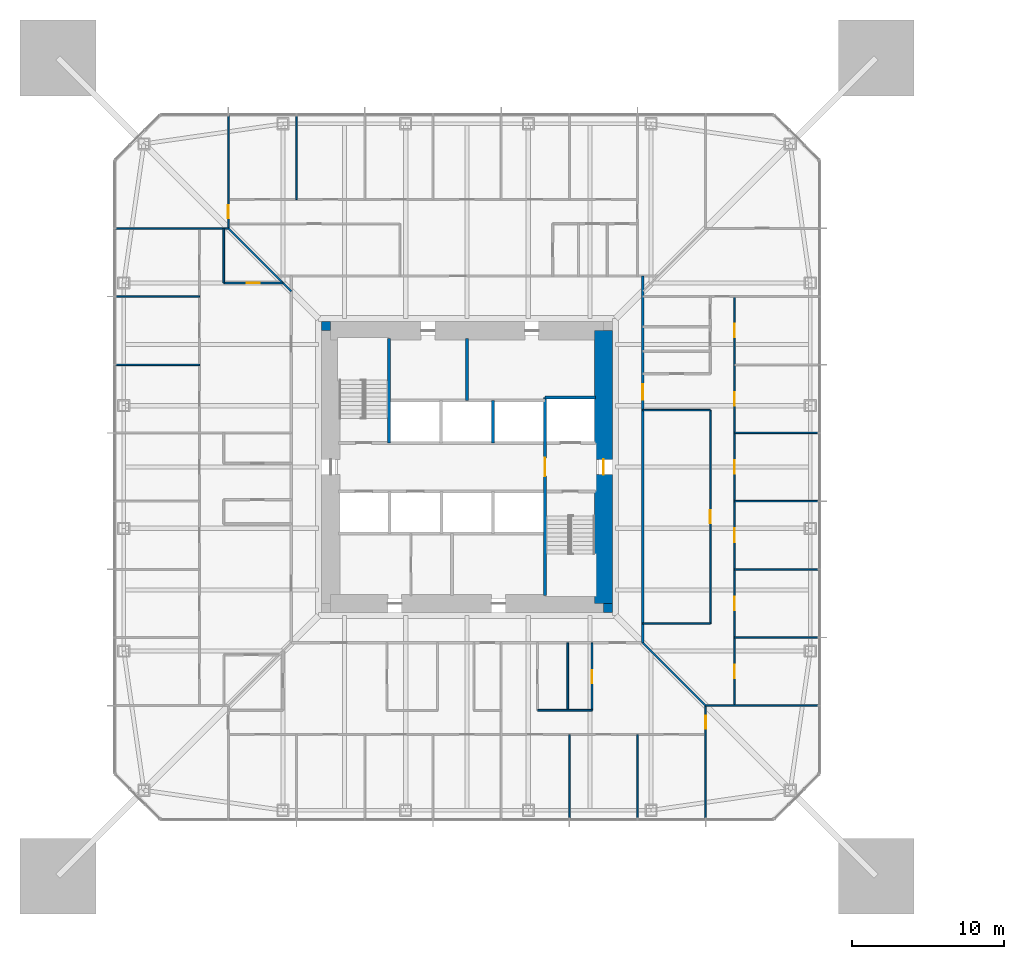
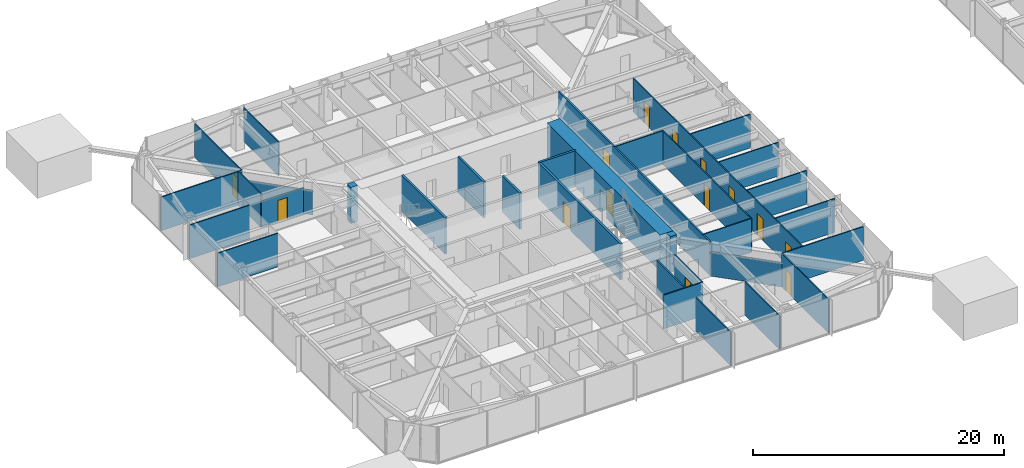
# One storey, part 16 of 26: 33 walls, 14 doors, 14 openings.
"""IFC4 building model written with IfcOpenShell, lengths in metres."""

from ifc_helpers import new_model, si_unit, direction, frame, frame_2d, origin, place, context, subcontext, project, spatial, rectangle, extrude, material, layer, layer_set, type_object, element, fill, save


model = new_model("IFC4")

# Units and contexts
model_context = context("Model", 3, precision=1e-05, world=origin(), true_north=direction((0.0, 1.0)))
body_context = subcontext(model_context, "Body", "Model", "MODEL_VIEW")
ifc_project = project(units=[si_unit("LENGTHUNIT", "METRE"), si_unit("AREAUNIT", "SQUARE_METRE"), si_unit("VOLUMEUNIT", "CUBIC_METRE"), si_unit("PLANEANGLEUNIT", "RADIAN"), si_unit("MASSUNIT", "GRAM", prefix="KILO")], contexts=[model_context])

# Site, building, storey
site_placement = place(None, origin())
site = spatial("IfcSite", under=ifc_project, at=site_placement, CompositionType="ELEMENT")
building_placement = place(site_placement, origin())
building = spatial("IfcBuilding", under=site, at=building_placement, Name="Iwan Alto Co-Living Towers", CompositionType="ELEMENT")
storey_placement = place(building_placement, frame((0.0, 0.0, 60.5)))
storey = spatial("IfcBuildingStorey", under=building, at=storey_placement, Name="L16", CompositionType="ELEMENT", Elevation=60.5)

# Wall, opening, door
ifc_material_1 = material(Name="Gypsum board")
ifc_layer_1 = layer(ifc_material_1, 0.02490234375, Name="Board", Category="Finish")
ifc_material_2 = material(Name="Steel ASTM A1003 ST33H cold-formed studs", Category="steel")
ifc_layer_2 = layer(ifc_material_2, 0.10009765625, Name="Studs", Category="Framing")
ifc_layer_3 = layer(ifc_material_1, 0.02490234375, Name="Board", Category="Finish")
ifc_layer_set_1 = layer_set([ifc_layer_1, ifc_layer_2, ifc_layer_3], Name="CORRIDOR WALL 150")
wall_type_1 = type_object("IfcWallType", Name="CORRIDOR WALL 150", PredefinedType="PARTITIONING", material=ifc_layer_set_1)
wall_1_placement = place(storey_placement, frame((11.60009765625, -11.60009765625, 0.0), z_axis=(0.0, 0.0, 1.0), x_axis=(0.0, 1.0, 0.0)))
wall_1 = element("IfcWall", 1, at=wall_1_placement, inside=storey, type_object=wall_type_1, Name="Partition L16", PredefinedType="PARTITIONING", context=body_context, shape_type="SweptSolid", body=[
    extrude(rectangle(XDim=24.2001953125, YDim=0.14990234375, at=frame_2d((12.10009765625, 0.0))), origin(), (0.0, 0.0, 1.0), 3.27001953125),
])
opening_1_placement = place(wall_1_placement, frame((16.050048828125, 0.0, 0.0)))
opening_1 = element("IfcOpeningElement", 2, at=opening_1_placement, cuts=wall_1, Name="Opening D3", PredefinedType="OPENING", context=body_context, shape_type="SweptSolid", body=[
    extrude(rectangle(XDim=1.0, YDim=2.10009765625, at=frame_2d((0.5, 1.050048828125))), frame((0.0, 0.0849609375, 0.0), z_axis=(0.0, -1.0, 0.0), x_axis=(1.0, 0.0, 0.0)), (0.0, 0.0, 1.0), 0.169921875),
])
ifc_material_3 = material(Name="Steel frame with timber leaf", Category="steel")
door_type_1 = type_object("IfcDoorType", Name="FLAT ENTRANCE DOOR FD30S 1000X2100", OperationType="SINGLE_SWING_LEFT", PredefinedType="DOOR", material=ifc_material_3)
door_1_placement = place(opening_1_placement, frame((1.0, 0.0, 0.0), z_axis=(0.0, 0.0, 1.0), x_axis=(-1.0, 0.0, 0.0)))
door_1 = element("IfcDoor", 3, at=door_1_placement, inside=storey, type_object=door_type_1, Name="Cluster lounge door L16", OperationType="SINGLE_SWING_RIGHT", OverallHeight=2.10009765625, OverallWidth=1.0, PredefinedType="DOOR", context=body_context, shape_type="SweptSolid", body=[
    extrude(rectangle(XDim=1.0, YDim=2.10009765625, at=frame_2d((0.5, 1.050048828125))), frame((0.0, 0.02490234375, 0.0), z_axis=(0.0, -1.0, 0.0), x_axis=(1.0, 0.0, 0.0)), (0.0, 0.0, 1.0), 0.050048828125),
])
fill(opening_1, door_1)

# Walls
ifc_layer_4 = layer(ifc_material_1, 0.012451171875, Name="Board", Category="Finish")
ifc_layer_5 = layer(ifc_material_2, 0.074951171875, Name="Studs", Category="Framing")
ifc_layer_6 = layer(ifc_material_1, 0.012451171875, Name="Board", Category="Finish")
ifc_layer_set_2 = layer_set([ifc_layer_4, ifc_layer_5, ifc_layer_6], Name="PARTITION 100")
wall_type_2 = type_object("IfcWallType", Name="PARTITION 100", PredefinedType="PARTITIONING", material=ifc_layer_set_2)
wall_2_placement = place(storey_placement, frame((15.75, -15.75, 0.0), z_axis=(0.0, 0.0, 1.0), x_axis=(1.0, 0.0, 0.0)))
element("IfcWall", 4, at=wall_2_placement, inside=storey, type_object=wall_type_2, Name="Partition L16", PredefinedType="PARTITIONING", context=body_context, shape_type="SweptSolid", body=[
    extrude(rectangle(XDim=7.43994140625, YDim=0.10009765625, at=frame_2d((3.719970703125, 0.0))), origin(), (0.0, 0.0, 1.0), 3.27001953125),
])
wall_3_placement = place(storey_placement, frame((17.64990234375, -11.25, 0.0), z_axis=(0.0, 0.0, 1.0), x_axis=(1.0, 0.0, 0.0)))
element("IfcWall", 5, at=wall_3_placement, inside=storey, type_object=wall_type_2, Name="Partition L16", PredefinedType="PARTITIONING", context=body_context, shape_type="SweptSolid", body=[
    extrude(rectangle(XDim=5.5400390625, YDim=0.10009765625, at=frame_2d((2.77001953125, 0.0))), origin(), (0.0, 0.0, 1.0), 3.27001953125),
])
wall_4_placement = place(storey_placement, frame((11.60009765625, -10.330078125, 0.0), z_axis=(0.0, 0.0, 1.0), x_axis=(1.0, 0.0, 0.0)))
element("IfcWall", 6, at=wall_4_placement, inside=storey, type_object=wall_type_2, Name="Partition L16", PredefinedType="PARTITIONING", context=body_context, shape_type="SweptSolid", body=[
    extrude(rectangle(XDim=4.449951171875, YDim=0.10009765625, at=frame_2d((2.22509765625, 0.0))), origin(), (0.0, 0.0, 1.0), 3.27001953125),
])
for number, where, z_axis, x_axis, name in (
    (7, (17.64990234375, -6.75, 0.0), (0.0, 0.0, 1.0), (1.0, 0.0, 0.0), "Partition L16"),
    (8, (17.64990234375, -2.25, 0.0), (0.0, 0.0, 1.0), (1.0, 0.0, 0.0), "Partition L16"),
    (9, (17.64990234375, 2.25, 0.0), (0.0, 0.0, 1.0), (1.0, 0.0, 0.0), "Partition L16"),
):
    element("IfcWall", number, at=place(storey_placement, frame(where, z_axis=z_axis, x_axis=x_axis)), inside=storey, type_object=wall_type_2, Name=name, PredefinedType="PARTITIONING", context=body_context, shape_type="SweptSolid", body=[
        extrude(rectangle(XDim=5.5400390625, YDim=0.10009765625, at=frame_2d((2.77001953125, 0.0))), origin(), (0.0, 0.0, 1.0), 3.27001953125),
    ])
wall_5_placement = place(storey_placement, frame((11.60009765625, 3.75, 0.0), z_axis=(0.0, 0.0, 1.0), x_axis=(1.0, 0.0, 0.0)))
element("IfcWall", 10, at=wall_5_placement, inside=storey, type_object=wall_type_2, Name="Partition L16", PredefinedType="PARTITIONING", context=body_context, shape_type="SweptSolid", body=[
    extrude(rectangle(XDim=4.449951171875, YDim=0.10009765625, at=frame_2d((2.22509765625, 0.0))), origin(), (0.0, 0.0, 1.0), 3.27001953125),
])
for number, where, z_axis, x_axis, name in (
    (11, (-23.18994140625, 6.75, 0.0), (0.0, 0.0, 1.0), (1.0, 0.0, 0.0), "Partition L16"),
    (12, (-23.18994140625, 11.25, 0.0), (0.0, 0.0, 1.0), (1.0, 0.0, 0.0), "Partition L16"),
):
    element("IfcWall", number, at=place(storey_placement, frame(where, z_axis=z_axis, x_axis=x_axis)), inside=storey, type_object=wall_type_2, Name=name, PredefinedType="PARTITIONING", context=body_context, shape_type="SweptSolid", body=[
        extrude(rectangle(XDim=5.5400390625, YDim=0.10009765625, at=frame_2d((2.77001953125, 0.0))), origin(), (0.0, 0.0, 1.0), 3.27001953125),
    ])
wall_6_placement = place(storey_placement, frame((-23.18994140625, 15.75, 0.0), z_axis=(0.0, 0.0, 1.0), x_axis=(1.0, 0.0, 0.0)))
element("IfcWall", 13, at=wall_6_placement, inside=storey, type_object=wall_type_2, Name="Partition L16", PredefinedType="PARTITIONING", context=body_context, shape_type="SweptSolid", body=[
    extrude(rectangle(XDim=7.43994140625, YDim=0.10009765625, at=frame_2d((3.719970703125, 0.0))), origin(), (0.0, 0.0, 1.0), 3.27001953125),
])

# Wall, openings, doors
wall_7_placement = place(storey_placement, frame((17.64990234375, -15.75, 0.0), z_axis=(0.0, 0.0, 1.0), x_axis=(0.0, 1.0, 0.0)))
wall_7 = element("IfcWall", 14, at=wall_7_placement, inside=storey, type_object=wall_type_2, Name="Partition L16", PredefinedType="PARTITIONING", context=body_context, shape_type="SweptSolid", body=[
    extrude(rectangle(XDim=27.0, YDim=0.10009765625, at=frame_2d((13.5, 0.0))), origin(), (0.0, 0.0, 1.0), 3.27001953125),
])
opening_2_placement = place(wall_7_placement, frame((1.800048828125, 0.0, 0.0)))
opening_2 = element("IfcOpeningElement", 15, at=opening_2_placement, cuts=wall_7, Name="Opening D1", PredefinedType="OPENING", context=body_context, shape_type="SweptSolid", body=[
    extrude(rectangle(XDim=0.89990234375, YDim=2.10009765625, at=frame_2d((0.449951171875, 1.050048828125))), frame((0.0, 0.06005859375, 0.0), z_axis=(0.0, -1.0, 0.0), x_axis=(1.0, 0.0, 0.0)), (0.0, 0.0, 1.0), 0.1201171875),
])
opening_3_placement = place(wall_7_placement, frame((6.300048828125, 0.0, 0.0)))
opening_3 = element("IfcOpeningElement", 16, at=opening_3_placement, cuts=wall_7, Name="Opening D1", PredefinedType="OPENING", context=body_context, shape_type="SweptSolid", body=[
    extrude(rectangle(XDim=0.89990234375, YDim=2.10009765625, at=frame_2d((0.449951171875, 1.050048828125))), frame((0.0, 0.06005859375, 0.0), z_axis=(0.0, -1.0, 0.0), x_axis=(1.0, 0.0, 0.0)), (0.0, 0.0, 1.0), 0.1201171875),
])
opening_4_placement = place(wall_7_placement, frame((10.800048828125, 0.0, 0.0)))
opening_4 = element("IfcOpeningElement", 17, at=opening_4_placement, cuts=wall_7, Name="Opening D1", PredefinedType="OPENING", context=body_context, shape_type="SweptSolid", body=[
    extrude(rectangle(XDim=0.89990234375, YDim=2.10009765625, at=frame_2d((0.449951171875, 1.050048828125))), frame((0.0, 0.06005859375, 0.0), z_axis=(0.0, -1.0, 0.0), x_axis=(1.0, 0.0, 0.0)), (0.0, 0.0, 1.0), 0.1201171875),
])
opening_5_placement = place(wall_7_placement, frame((15.300048828125, 0.0, 0.0)))
opening_5 = element("IfcOpeningElement", 18, at=opening_5_placement, cuts=wall_7, Name="Opening D1", PredefinedType="OPENING", context=body_context, shape_type="SweptSolid", body=[
    extrude(rectangle(XDim=0.89990234375, YDim=2.10009765625, at=frame_2d((0.449951171875, 1.050048828125))), frame((0.0, 0.06005859375, 0.0), z_axis=(0.0, -1.0, 0.0), x_axis=(1.0, 0.0, 0.0)), (0.0, 0.0, 1.0), 0.1201171875),
])
opening_6_placement = place(wall_7_placement, frame((19.800048828125, 0.0, 0.0)))
opening_6 = element("IfcOpeningElement", 19, at=opening_6_placement, cuts=wall_7, Name="Opening D1", PredefinedType="OPENING", context=body_context, shape_type="SweptSolid", body=[
    extrude(rectangle(XDim=0.89990234375, YDim=2.10009765625, at=frame_2d((0.449951171875, 1.050048828125))), frame((0.0, 0.06005859375, 0.0), z_axis=(0.0, -1.0, 0.0), x_axis=(1.0, 0.0, 0.0)), (0.0, 0.0, 1.0), 0.1201171875),
])
opening_7_placement = place(wall_7_placement, frame((24.300048828125, 0.0, 0.0)))
opening_7 = element("IfcOpeningElement", 20, at=opening_7_placement, cuts=wall_7, Name="Opening D1", PredefinedType="OPENING", context=body_context, shape_type="SweptSolid", body=[
    extrude(rectangle(XDim=0.89990234375, YDim=2.10009765625, at=frame_2d((0.449951171875, 1.050048828125))), frame((0.0, 0.06005859375, 0.0), z_axis=(0.0, -1.0, 0.0), x_axis=(1.0, 0.0, 0.0)), (0.0, 0.0, 1.0), 0.1201171875),
])
ifc_material_4 = material(Name="Timber leaf in steel frame", Category="steel")
door_type_2 = type_object("IfcDoorType", Name="BEDROOM DOOR 900X2100", OperationType="SINGLE_SWING_LEFT", PredefinedType="DOOR", material=ifc_material_4)
door_2_placement = place(opening_2_placement, origin())
door_2 = element("IfcDoor", 21, at=door_2_placement, inside=storey, type_object=door_type_2, Name="Study bedroom door L16", OperationType="SINGLE_SWING_LEFT", OverallHeight=2.10009765625, OverallWidth=0.89990234375, PredefinedType="DOOR", context=body_context, shape_type="SweptSolid", body=[
    extrude(rectangle(XDim=0.89990234375, YDim=2.10009765625, at=frame_2d((0.449951171875, 1.050048828125))), frame((0.0, 0.02490234375, 0.0), z_axis=(0.0, -1.0, 0.0), x_axis=(1.0, 0.0, 0.0)), (0.0, 0.0, 1.0), 0.050048828125),
])
fill(opening_2, door_2)
door_3_placement = place(opening_3_placement, origin())
door_3 = element("IfcDoor", 22, at=door_3_placement, inside=storey, type_object=door_type_2, Name="Study bedroom door L16", OperationType="SINGLE_SWING_LEFT", OverallHeight=2.10009765625, OverallWidth=0.89990234375, PredefinedType="DOOR", context=body_context, shape_type="SweptSolid", body=[
    extrude(rectangle(XDim=0.89990234375, YDim=2.10009765625, at=frame_2d((0.449951171875, 1.050048828125))), frame((0.0, 0.02490234375, 0.0), z_axis=(0.0, -1.0, 0.0), x_axis=(1.0, 0.0, 0.0)), (0.0, 0.0, 1.0), 0.050048828125),
])
fill(opening_3, door_3)
door_4_placement = place(opening_4_placement, origin())
door_4 = element("IfcDoor", 23, at=door_4_placement, inside=storey, type_object=door_type_2, Name="Study bedroom door L16", OperationType="SINGLE_SWING_LEFT", OverallHeight=2.10009765625, OverallWidth=0.89990234375, PredefinedType="DOOR", context=body_context, shape_type="SweptSolid", body=[
    extrude(rectangle(XDim=0.89990234375, YDim=2.10009765625, at=frame_2d((0.449951171875, 1.050048828125))), frame((0.0, 0.02490234375, 0.0), z_axis=(0.0, -1.0, 0.0), x_axis=(1.0, 0.0, 0.0)), (0.0, 0.0, 1.0), 0.050048828125),
])
fill(opening_4, door_4)
door_5_placement = place(opening_5_placement, origin())
door_5 = element("IfcDoor", 24, at=door_5_placement, inside=storey, type_object=door_type_2, Name="Study bedroom door L16", OperationType="SINGLE_SWING_RIGHT", OverallHeight=2.10009765625, OverallWidth=0.89990234375, PredefinedType="DOOR", context=body_context, shape_type="SweptSolid", body=[
    extrude(rectangle(XDim=0.89990234375, YDim=2.10009765625, at=frame_2d((0.449951171875, 1.050048828125))), frame((0.0, 0.02490234375, 0.0), z_axis=(0.0, -1.0, 0.0), x_axis=(1.0, 0.0, 0.0)), (0.0, 0.0, 1.0), 0.050048828125),
])
fill(opening_5, door_5)
door_6_placement = place(opening_6_placement, origin())
door_6 = element("IfcDoor", 25, at=door_6_placement, inside=storey, type_object=door_type_2, Name="Study bedroom door L16", OperationType="SINGLE_SWING_RIGHT", OverallHeight=2.10009765625, OverallWidth=0.89990234375, PredefinedType="DOOR", context=body_context, shape_type="SweptSolid", body=[
    extrude(rectangle(XDim=0.89990234375, YDim=2.10009765625, at=frame_2d((0.449951171875, 1.050048828125))), frame((0.0, 0.02490234375, 0.0), z_axis=(0.0, -1.0, 0.0), x_axis=(1.0, 0.0, 0.0)), (0.0, 0.0, 1.0), 0.050048828125),
])
fill(opening_6, door_6)
door_7_placement = place(opening_7_placement, origin())
door_7 = element("IfcDoor", 26, at=door_7_placement, inside=storey, type_object=door_type_2, Name="Study bedroom door L16", OperationType="SINGLE_SWING_RIGHT", OverallHeight=2.10009765625, OverallWidth=0.89990234375, PredefinedType="DOOR", context=body_context, shape_type="SweptSolid", body=[
    extrude(rectangle(XDim=0.89990234375, YDim=2.10009765625, at=frame_2d((0.449951171875, 1.050048828125))), frame((0.0, 0.02490234375, 0.0), z_axis=(0.0, -1.0, 0.0), x_axis=(1.0, 0.0, 0.0)), (0.0, 0.0, 1.0), 0.050048828125),
])
fill(opening_7, door_7)

# Wall, opening, door
wall_8_placement = place(storey_placement, frame((16.050048828125, -10.330078125, 0.0), z_axis=(0.0, 0.0, 1.0), x_axis=(0.0, 1.0, 0.0)))
wall_8 = element("IfcWall", 27, at=wall_8_placement, inside=storey, type_object=wall_type_2, Name="Partition L16", PredefinedType="PARTITIONING", context=body_context, shape_type="SweptSolid", body=[
    extrude(rectangle(XDim=14.080078125, YDim=0.10009765625, at=frame_2d((7.0400390625, 0.0))), origin(), (0.0, 0.0, 1.0), 3.27001953125),
])
opening_8_placement = place(wall_8_placement, frame((6.614990234375, 0.0, 0.0)))
opening_8 = element("IfcOpeningElement", 28, at=opening_8_placement, cuts=wall_8, Name="Opening D2", PredefinedType="OPENING", context=body_context, shape_type="SweptSolid", body=[
    extrude(rectangle(XDim=0.85009765625, YDim=2.10009765625, at=frame_2d((0.425048828125, 1.050048828125))), frame((0.0, 0.06005859375, 0.0), z_axis=(0.0, -1.0, 0.0), x_axis=(1.0, 0.0, 0.0)), (0.0, 0.0, 1.0), 0.1201171875),
])
ifc_material_5 = material(Name="Timber leaf in steel frame", Category="steel")
door_type_3 = type_object("IfcDoorType", Name="ROOM DOOR 850X2100", OperationType="SINGLE_SWING_LEFT", PredefinedType="DOOR", material=ifc_material_5)
door_8_placement = place(opening_8_placement, frame((0.85009765625, 0.0, 0.0), z_axis=(0.0, 0.0, 1.0), x_axis=(-1.0, 0.0, 0.0)))
door_8 = element("IfcDoor", 29, at=door_8_placement, inside=storey, type_object=door_type_3, Name="Study lounge door L16", OperationType="SINGLE_SWING_RIGHT", OverallHeight=2.10009765625, OverallWidth=0.85009765625, PredefinedType="DOOR", context=body_context, shape_type="SweptSolid", body=[
    extrude(rectangle(XDim=0.85009765625, YDim=2.10009765625, at=frame_2d((0.425048828125, 1.050048828125))), frame((0.0, 0.02490234375, 0.0), z_axis=(0.0, -1.0, 0.0), x_axis=(1.0, 0.0, 0.0)), (0.0, 0.0, 1.0), 0.050048828125),
])
fill(opening_8, door_8)

wall_9_placement = place(storey_placement, frame((15.75, -23.18994140625, 0.0), z_axis=(0.0, 0.0, 1.0), x_axis=(0.0, 1.0, 0.0)))
wall_9 = element("IfcWall", 30, at=wall_9_placement, inside=storey, type_object=wall_type_2, Name="Partition L16", PredefinedType="PARTITIONING", context=body_context, shape_type="SweptSolid", body=[
    extrude(rectangle(XDim=7.43994140625, YDim=0.10009765625, at=frame_2d((3.719970703125, 0.0))), origin(), (0.0, 0.0, 1.0), 3.27001953125),
])
opening_9_placement = place(wall_9_placement, frame((5.9150390625, 0.0, 0.0)))
opening_9 = element("IfcOpeningElement", 31, at=opening_9_placement, cuts=wall_9, Name="Opening D2", PredefinedType="OPENING", context=body_context, shape_type="SweptSolid", body=[
    extrude(rectangle(XDim=0.85009765625, YDim=2.10009765625, at=frame_2d((0.425048828125, 1.050048828125))), frame((0.0, 0.06005859375, 0.0), z_axis=(0.0, -1.0, 0.0), x_axis=(1.0, 0.0, 0.0)), (0.0, 0.0, 1.0), 0.1201171875),
])
door_9_placement = place(opening_9_placement, origin())
door_9 = element("IfcDoor", 32, at=door_9_placement, inside=storey, type_object=door_type_3, Name="Shared kitchen and dining room door L16", OperationType="SINGLE_SWING_LEFT", OverallHeight=2.10009765625, OverallWidth=0.85009765625, PredefinedType="DOOR", context=body_context, shape_type="SweptSolid", body=[
    extrude(rectangle(XDim=0.85009765625, YDim=2.10009765625, at=frame_2d((0.425048828125, 1.050048828125))), frame((0.0, 0.02490234375, 0.0), z_axis=(0.0, -1.0, 0.0), x_axis=(1.0, 0.0, 0.0)), (0.0, 0.0, 1.0), 0.050048828125),
])
fill(opening_9, door_9)

# Walls
for number, where, z_axis, x_axis, name in (
    (33, (11.25, -23.18994140625, 0.0), (0.0, 0.0, 1.0), (0.0, 1.0, 0.0), "Partition L16"),
    (34, (6.75, -23.18994140625, 0.0), (0.0, 0.0, 1.0), (0.0, 1.0, 0.0), "Partition L16"),
    (35, (-11.25, 17.64990234375, 0.0), (0.0, 0.0, 1.0), (0.0, 1.0, 0.0), "Partition L16"),
):
    element("IfcWall", number, at=place(storey_placement, frame(where, z_axis=z_axis, x_axis=x_axis)), inside=storey, type_object=wall_type_2, Name=name, PredefinedType="PARTITIONING", context=body_context, shape_type="SweptSolid", body=[
        extrude(rectangle(XDim=5.5400390625, YDim=0.10009765625, at=frame_2d((2.77001953125, 0.0))), origin(), (0.0, 0.0, 1.0), 3.27001953125),
    ])

# Wall, opening, door
wall_10_placement = place(storey_placement, frame((-15.75, 15.75, 0.0), z_axis=(0.0, 0.0, 1.0), x_axis=(0.0, 1.0, 0.0)))
wall_10 = element("IfcWall", 36, at=wall_10_placement, inside=storey, type_object=wall_type_2, Name="Partition L16", PredefinedType="PARTITIONING", context=body_context, shape_type="SweptSolid", body=[
    extrude(rectangle(XDim=7.43994140625, YDim=0.10009765625, at=frame_2d((3.719970703125, 0.0))), origin(), (0.0, 0.0, 1.0), 3.27001953125),
])
opening_10_placement = place(wall_10_placement, frame((0.675048828125, 0.0, 0.0)))
opening_10 = element("IfcOpeningElement", 37, at=opening_10_placement, cuts=wall_10, Name="Opening D2", PredefinedType="OPENING", context=body_context, shape_type="SweptSolid", body=[
    extrude(rectangle(XDim=0.85009765625, YDim=2.10009765625, at=frame_2d((0.425048828125, 1.050048828125))), frame((0.0, 0.06005859375, 0.0), z_axis=(0.0, -1.0, 0.0), x_axis=(1.0, 0.0, 0.0)), (0.0, 0.0, 1.0), 0.1201171875),
])
door_10_placement = place(opening_10_placement, frame((0.85009765625, 0.0, 0.0), z_axis=(0.0, 0.0, 1.0), x_axis=(-1.0, 0.0, 0.0)))
door_10 = element("IfcDoor", 38, at=door_10_placement, inside=storey, type_object=door_type_3, Name="Shared kitchen and dining room door L16", OperationType="SINGLE_SWING_RIGHT", OverallHeight=2.10009765625, OverallWidth=0.85009765625, PredefinedType="DOOR", context=body_context, shape_type="SweptSolid", body=[
    extrude(rectangle(XDim=0.85009765625, YDim=2.10009765625, at=frame_2d((0.425048828125, 1.050048828125))), frame((0.0, 0.02490234375, 0.0), z_axis=(0.0, -1.0, 0.0), x_axis=(1.0, 0.0, 0.0)), (0.0, 0.0, 1.0), 0.050048828125),
])
fill(opening_10, door_10)

# Walls
wall_11_placement = place(storey_placement, frame((15.75, -15.75, 0.0), z_axis=(0.0, 0.0, 1.0), x_axis=(-0.707106781187, 0.707106781187, 0.0)))
element("IfcWall", 39, at=wall_11_placement, inside=storey, type_object=wall_type_2, Name="Partition L16", PredefinedType="PARTITIONING", context=body_context, shape_type="SweptSolid", body=[
    extrude(rectangle(XDim=5.868896484375, YDim=0.10009765625, at=frame_2d((2.9345703125, 0.0))), origin(), (0.0, 0.0, 1.0), 2.343017578125),
])
ifc_material_6 = material(Name="Concrete f'c 70 MPa", Category="concrete")
ifc_layer_7 = layer(ifc_material_6, 0.199951171875)
ifc_layer_set_3 = layer_set([ifc_layer_7], Name="SHAFT WALL 200")
wall_type_3 = type_object("IfcWallType", Name="SHAFT WALL 200", PredefinedType="SOLIDWALL", material=ifc_layer_set_3)
wall_12_placement = place(storey_placement, frame((5.14990234375, 4.60009765625, 0.0), z_axis=(0.0, 0.0, 1.0), x_axis=(1.0, 0.0, 0.0)))
element("IfcWall", 40, at=wall_12_placement, inside=storey, type_object=wall_type_3, Name="Shaft wall L16", PredefinedType="SOLIDWALL", context=body_context, shape_type="SweptSolid", body=[
    extrude(rectangle(XDim=3.340087890625, YDim=0.199951171875, at=frame_2d((1.669921875, 0.0))), origin(), (0.0, 0.0, 1.0), 3.5),
])

# Wall, opening, door
wall_13_placement = place(storey_placement, frame((5.14990234375, -8.489990234375, 0.0), z_axis=(0.0, 0.0, 1.0), x_axis=(0.0, 1.0, 0.0)))
wall_13 = element("IfcWall", 41, at=wall_13_placement, inside=storey, type_object=wall_type_3, Name="Shaft wall L16", PredefinedType="SOLIDWALL", context=body_context, shape_type="SweptSolid", body=[
    extrude(rectangle(XDim=13.090087890625, YDim=0.199951171875, at=frame_2d((6.544921875, 0.0))), origin(), (0.0, 0.0, 1.0), 3.5),
])
opening_11_placement = place(wall_13_placement, frame((7.889892578125, 0.0, 0.0)))
opening_11 = element("IfcOpeningElement", 42, at=opening_11_placement, cuts=wall_13, Name="Opening D6", PredefinedType="OPENING", context=body_context, shape_type="SweptSolid", body=[
    extrude(rectangle(XDim=1.199951171875, YDim=2.10009765625, at=frame_2d((0.60009765625, 1.050048828125))), frame((0.0, 0.10986328125, 0.0), z_axis=(0.0, -1.0, 0.0), x_axis=(1.0, 0.0, 0.0)), (0.0, 0.0, 1.0), 0.219970703125),
])
ifc_material_7 = material(Name="Steel frame with timber leaf", Category="steel")
door_type_4 = type_object("IfcDoorType", Name="LOBBY DOOR FD120S 1200X2100", OperationType="SINGLE_SWING_LEFT", PredefinedType="DOOR", material=ifc_material_7)
door_11_placement = place(opening_11_placement, frame((1.199951171875, 0.0, 0.0), z_axis=(0.0, 0.0, 1.0), x_axis=(-1.0, 0.0, 0.0)))
door_11 = element("IfcDoor", 43, at=door_11_placement, inside=storey, type_object=door_type_4, Name="Firefighting lobby door L16", OperationType="SINGLE_SWING_RIGHT", OverallHeight=2.10009765625, OverallWidth=1.199951171875, PredefinedType="DOOR", context=body_context, shape_type="SweptSolid", body=[
    extrude(rectangle(XDim=1.199951171875, YDim=2.10009765625, at=frame_2d((0.60009765625, 1.050048828125))), frame((0.0, 0.02490234375, 0.0), z_axis=(0.0, -1.0, 0.0), x_axis=(1.0, 0.0, 0.0)), (0.0, 0.0, 1.0), 0.050048828125),
])
fill(opening_11, door_11)

# Walls
wall_14_placement = place(storey_placement, frame((1.717041015625, 1.60009765625, 0.0), z_axis=(0.0, 0.0, 1.0), x_axis=(0.0, 1.0, 0.0)))
element("IfcWall", 44, at=wall_14_placement, inside=storey, type_object=wall_type_3, Name="Shaft wall L16", PredefinedType="SOLIDWALL", context=body_context, shape_type="SweptSolid", body=[
    extrude(rectangle(XDim=2.7998046875, YDim=0.199951171875, at=frame_2d((1.39990234375, 0.0))), origin(), (0.0, 0.0, 1.0), 3.5),
])
wall_15_placement = place(storey_placement, frame((0.0, 4.39990234375, 0.0), z_axis=(0.0, 0.0, 1.0), x_axis=(0.0, 1.0, 0.0)))
element("IfcWall", 45, at=wall_15_placement, inside=storey, type_object=wall_type_3, Name="Shaft wall L16", PredefinedType="SOLIDWALL", context=body_context, shape_type="SweptSolid", body=[
    extrude(rectangle(XDim=4.090087890625, YDim=0.199951171875, at=frame_2d((2.044921875, 0.0))), origin(), (0.0, 0.0, 1.0), 3.5),
])
wall_16_placement = place(storey_placement, frame((-5.14990234375, 1.60009765625, 0.0), z_axis=(0.0, 0.0, 1.0), x_axis=(0.0, 1.0, 0.0)))
element("IfcWall", 46, at=wall_16_placement, inside=storey, type_object=wall_type_3, Name="Shaft wall L16", PredefinedType="SOLIDWALL", context=body_context, shape_type="SweptSolid", body=[
    extrude(rectangle(XDim=6.889892578125, YDim=0.199951171875, at=frame_2d((3.44482421875, 0.0))), origin(), (0.0, 0.0, 1.0), 3.5),
])
ifc_material_8 = material(Name="Concrete f'c 70 MPa", Category="concrete")
ifc_layer_8 = layer(ifc_material_8, 0.60009765625)
ifc_layer_set_4 = layer_set([ifc_layer_8], Name="T1 CORE CORNER FILL 600")
wall_type_4 = type_object("IfcWallType", Name="T1 CORE CORNER FILL 600", PredefinedType="SOLIDWALL", material=ifc_layer_set_4)
for number, where, z_axis, x_axis, name in (
    (47, (9.0, -9.300048828125, 0.0), (0.0, 0.0, 1.0), (1.0, 0.0, 0.0), "T1 core corner SE L16"),
    (48, (-9.60009765625, 9.300048828125, 0.0), (0.0, 0.0, 1.0), (1.0, 0.0, 0.0), "T1 core corner NW L16"),
):
    element("IfcWall", number, at=place(storey_placement, frame(where, z_axis=z_axis, x_axis=x_axis)), inside=storey, type_object=wall_type_4, Name=name, PredefinedType="SOLIDWALL", context=body_context, shape_type="SweptSolid", body=[
        extrude(rectangle(XDim=0.60009765625, YDim=0.60009765625, at=frame_2d((0.300048828125, 0.0))), origin(), (0.0, 0.0, 1.0), 3.5),
    ])

# Wall, opening, door
ifc_material_9 = material(Name="Concrete f'c 70 MPa", Category="concrete")
ifc_layer_9 = layer(ifc_material_9, 1.199951171875)
ifc_layer_set_5 = layer_set([ifc_layer_9], Name="T1 CORE WALL 1200")
wall_type_5 = type_object("IfcWallType", Name="T1 CORE WALL 1200", PredefinedType="SHEAR", material=ifc_layer_set_5)
wall_17_placement = place(storey_placement, frame((9.0, -9.0, 0.0), z_axis=(0.0, 0.0, 1.0), x_axis=(0.0, 1.0, 0.0)))
wall_17 = element("IfcWall", 49, at=wall_17_placement, inside=storey, type_object=wall_type_5, Name="T1 core wall E L16", PredefinedType="SHEAR", context=body_context, shape_type="SweptSolid", body=[
    extrude(rectangle(XDim=18.0, YDim=1.199951171875, at=frame_2d((9.0, 0.0))), origin(), (0.0, 0.0, 1.0), 3.5),
])
opening_12_placement = place(wall_17_placement, frame((8.5, 0.0, 0.0)))
opening_12 = element("IfcOpeningElement", 50, at=opening_12_placement, cuts=wall_17, Name="Opening D7", PredefinedType="OPENING", context=body_context, shape_type="SweptSolid", body=[
    extrude(rectangle(XDim=1.0, YDim=2.10009765625, at=frame_2d((0.5, 1.050048828125))), frame((0.0, 0.60986328125, 0.0), z_axis=(0.0, -1.0, 0.0), x_axis=(1.0, 0.0, 0.0)), (0.0, 0.0, 1.0), 1.219970703125),
])
ifc_material_10 = material(Name="Steel frame with timber leaf", Category="steel")
door_type_5 = type_object("IfcDoorType", Name="CORE DOOR FD120S 1000X2100", OperationType="SINGLE_SWING_LEFT", PredefinedType="DOOR", material=ifc_material_10)
door_12_placement = place(opening_12_placement, origin())
door_12 = element("IfcDoor", 51, at=door_12_placement, inside=storey, type_object=door_type_5, Name="Firefighting lobby core door L16", OperationType="SINGLE_SWING_LEFT", OverallHeight=2.10009765625, OverallWidth=1.0, PredefinedType="DOOR", context=body_context, shape_type="SweptSolid", body=[
    extrude(rectangle(XDim=1.0, YDim=2.10009765625, at=frame_2d((0.5, 1.050048828125))), frame((0.0, 0.02490234375, 0.0), z_axis=(0.0, -1.0, 0.0), x_axis=(1.0, 0.0, 0.0)), (0.0, 0.0, 1.0), 0.050048828125),
])
fill(opening_12, door_12)

# Wall
ifc_material_11 = material(Name="Cement board")
ifc_layer_10 = layer(ifc_material_11, 0.012451171875, Name="Board", Category="Finish")
ifc_layer_11 = layer(ifc_material_2, 0.094970703125, Name="Studs", Category="Framing")
ifc_layer_12 = layer(ifc_material_11, 0.012451171875, Name="Board", Category="Finish")
ifc_layer_set_6 = layer_set([ifc_layer_10, ifc_layer_11, ifc_layer_12], Name="WET AREA PARTITION 120")
wall_type_6 = type_object("IfcWallType", Name="WET AREA PARTITION 120", PredefinedType="PARTITIONING", material=ifc_layer_set_6)
wall_18_placement = place(storey_placement, frame((4.64990234375, -16.050048828125, 0.0), z_axis=(0.0, 0.0, 1.0), x_axis=(1.0, 0.0, 0.0)))
element("IfcWall", 52, at=wall_18_placement, inside=storey, type_object=wall_type_6, Name="Partition L16", PredefinedType="PARTITIONING", context=body_context, shape_type="SweptSolid", body=[
    extrude(rectangle(XDim=3.60009765625, YDim=0.1201171875, at=frame_2d((1.800048828125, 0.0))), origin(), (0.0, 0.0, 1.0), 3.27001953125),
])

# Wall, opening, door
wall_19_placement = place(storey_placement, frame((-16.050048828125, 12.14990234375, 0.0), z_axis=(0.0, 0.0, 1.0), x_axis=(1.0, 0.0, 0.0)))
wall_19 = element("IfcWall", 53, at=wall_19_placement, inside=storey, type_object=wall_type_6, Name="Partition L16", PredefinedType="PARTITIONING", context=body_context, shape_type="SweptSolid", body=[
    extrude(rectangle(XDim=3.900146484375, YDim=0.1201171875, at=frame_2d((1.9501953125, 0.0))), origin(), (0.0, 0.0, 1.0), 2.508056640625),
])
opening_13_placement = place(wall_19_placement, frame((1.52490234375, 0.0, 0.0)))
opening_13 = element("IfcOpeningElement", 54, at=opening_13_placement, cuts=wall_19, Name="Opening D2", PredefinedType="OPENING", context=body_context, shape_type="SweptSolid", body=[
    extrude(rectangle(XDim=0.85009765625, YDim=2.10009765625, at=frame_2d((0.425048828125, 1.050048828125))), frame((0.0, 0.070068359375, 0.0), z_axis=(0.0, -1.0, 0.0), x_axis=(1.0, 0.0, 0.0)), (0.0, 0.0, 1.0), 0.14013671875),
])
door_13_placement = place(opening_13_placement, frame((0.85009765625, 0.0, 0.0), z_axis=(0.0, 0.0, 1.0), x_axis=(-1.0, 0.0, 0.0)))
door_13 = element("IfcDoor", 55, at=door_13_placement, inside=storey, type_object=door_type_3, Name="Accessible bathroom door L16", OperationType="SINGLE_SWING_LEFT", OverallHeight=2.10009765625, OverallWidth=0.85009765625, PredefinedType="DOOR", context=body_context, shape_type="SweptSolid", body=[
    extrude(rectangle(XDim=0.85009765625, YDim=2.10009765625, at=frame_2d((0.425048828125, 1.050048828125))), frame((0.0, 0.02490234375, 0.0), z_axis=(0.0, -1.0, 0.0), x_axis=(1.0, 0.0, 0.0)), (0.0, 0.0, 1.0), 0.050048828125),
])
fill(opening_13, door_13)

wall_20_placement = place(storey_placement, frame((8.25, -16.050048828125, 0.0), z_axis=(0.0, 0.0, 1.0), x_axis=(0.0, 1.0, 0.0)))
wall_20 = element("IfcWall", 56, at=wall_20_placement, inside=storey, type_object=wall_type_6, Name="Partition L16", PredefinedType="PARTITIONING", context=body_context, shape_type="SweptSolid", body=[
    extrude(rectangle(XDim=4.449951171875, YDim=0.1201171875, at=frame_2d((2.22509765625, 0.0))), origin(), (0.0, 0.0, 1.0), 3.27001953125),
])
opening_14_placement = place(wall_20_placement, frame((1.800048828125, 0.0, 0.0)))
opening_14 = element("IfcOpeningElement", 57, at=opening_14_placement, cuts=wall_20, Name="Opening D2", PredefinedType="OPENING", context=body_context, shape_type="SweptSolid", body=[
    extrude(rectangle(XDim=0.85009765625, YDim=2.10009765625, at=frame_2d((0.425048828125, 1.050048828125))), frame((0.0, 0.070068359375, 0.0), z_axis=(0.0, -1.0, 0.0), x_axis=(1.0, 0.0, 0.0)), (0.0, 0.0, 1.0), 0.14013671875),
])
door_14_placement = place(opening_14_placement, frame((0.85009765625, 0.0, 0.0), z_axis=(0.0, 0.0, 1.0), x_axis=(-1.0, 0.0, 0.0)))
door_14 = element("IfcDoor", 58, at=door_14_placement, inside=storey, type_object=door_type_3, Name="Accessible bathroom door L16", OperationType="SINGLE_SWING_LEFT", OverallHeight=2.10009765625, OverallWidth=0.85009765625, PredefinedType="DOOR", context=body_context, shape_type="SweptSolid", body=[
    extrude(rectangle(XDim=0.85009765625, YDim=2.10009765625, at=frame_2d((0.425048828125, 1.050048828125))), frame((0.0, 0.02490234375, 0.0), z_axis=(0.0, -1.0, 0.0), x_axis=(1.0, 0.0, 0.0)), (0.0, 0.0, 1.0), 0.050048828125),
])
fill(opening_14, door_14)

# Walls
wall_21_placement = place(storey_placement, frame((6.64990234375, -16.050048828125, 0.0), z_axis=(0.0, 0.0, 1.0), x_axis=(0.0, 1.0, 0.0)))
element("IfcWall", 59, at=wall_21_placement, inside=storey, type_object=wall_type_6, Name="Partition L16", PredefinedType="PARTITIONING", context=body_context, shape_type="SweptSolid", body=[
    extrude(rectangle(XDim=4.449951171875, YDim=0.1201171875, at=frame_2d((2.22509765625, 0.0))), origin(), (0.0, 0.0, 1.0), 3.27001953125),
])
wall_22_placement = place(storey_placement, frame((-16.050048828125, 12.14990234375, 0.0), z_axis=(0.0, 0.0, 1.0), x_axis=(0.0, 1.0, 0.0)))
element("IfcWall", 60, at=wall_22_placement, inside=storey, type_object=wall_type_6, Name="Partition L16", PredefinedType="PARTITIONING", context=body_context, shape_type="SweptSolid", body=[
    extrude(rectangle(XDim=3.60009765625, YDim=0.1201171875, at=frame_2d((1.800048828125, 0.0))), origin(), (0.0, 0.0, 1.0), 3.27001953125),
])
wall_23_placement = place(storey_placement, frame((-11.60009765625, 11.60009765625, 0.0), z_axis=(0.0, 0.0, 1.0), x_axis=(-0.707106781187, 0.707106781187, 0.0)))
element("IfcWall", 61, at=wall_23_placement, inside=storey, type_object=wall_type_6, Name="Partition L16", PredefinedType="PARTITIONING", context=body_context, shape_type="SweptSolid", body=[
    extrude(rectangle(XDim=5.868896484375, YDim=0.1201171875, at=frame_2d((2.9345703125, 0.0))), origin(), (0.0, 0.0, 1.0), 2.343017578125),
])

save(model, "model.ifc")
